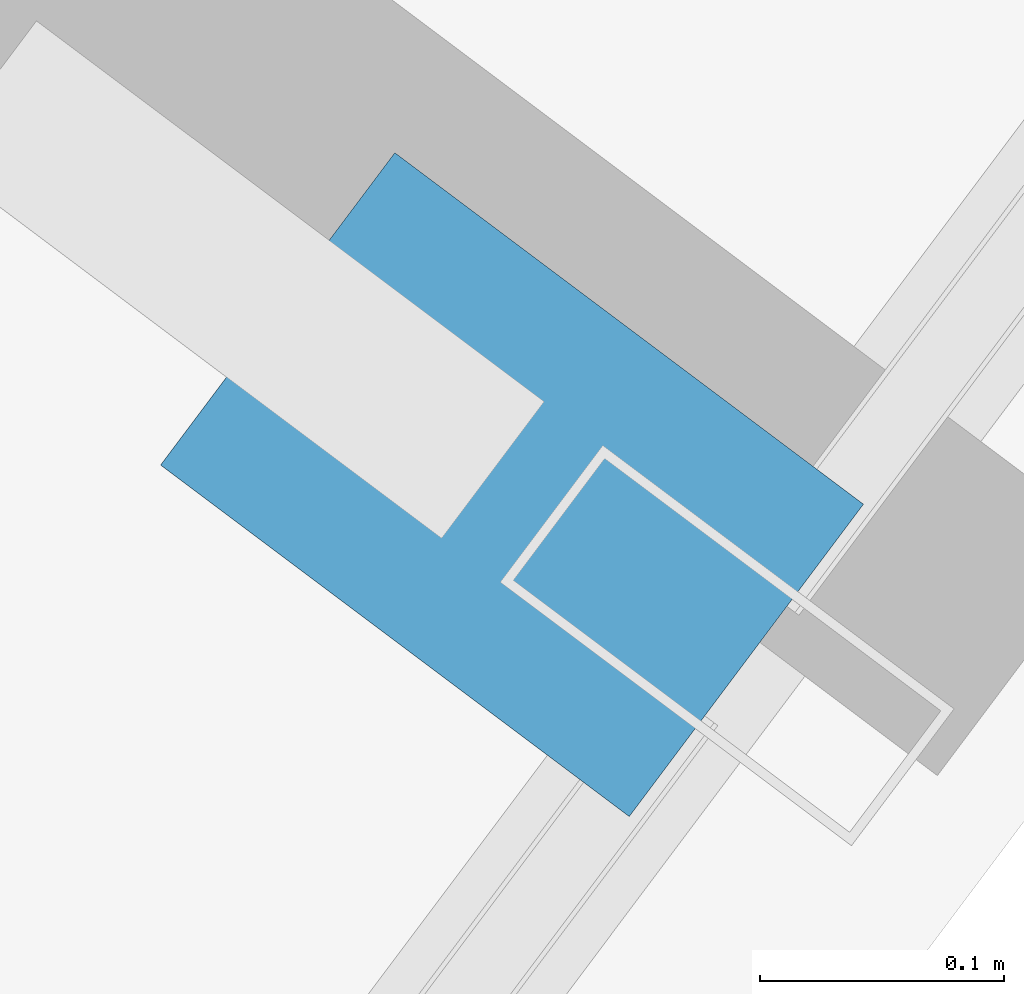
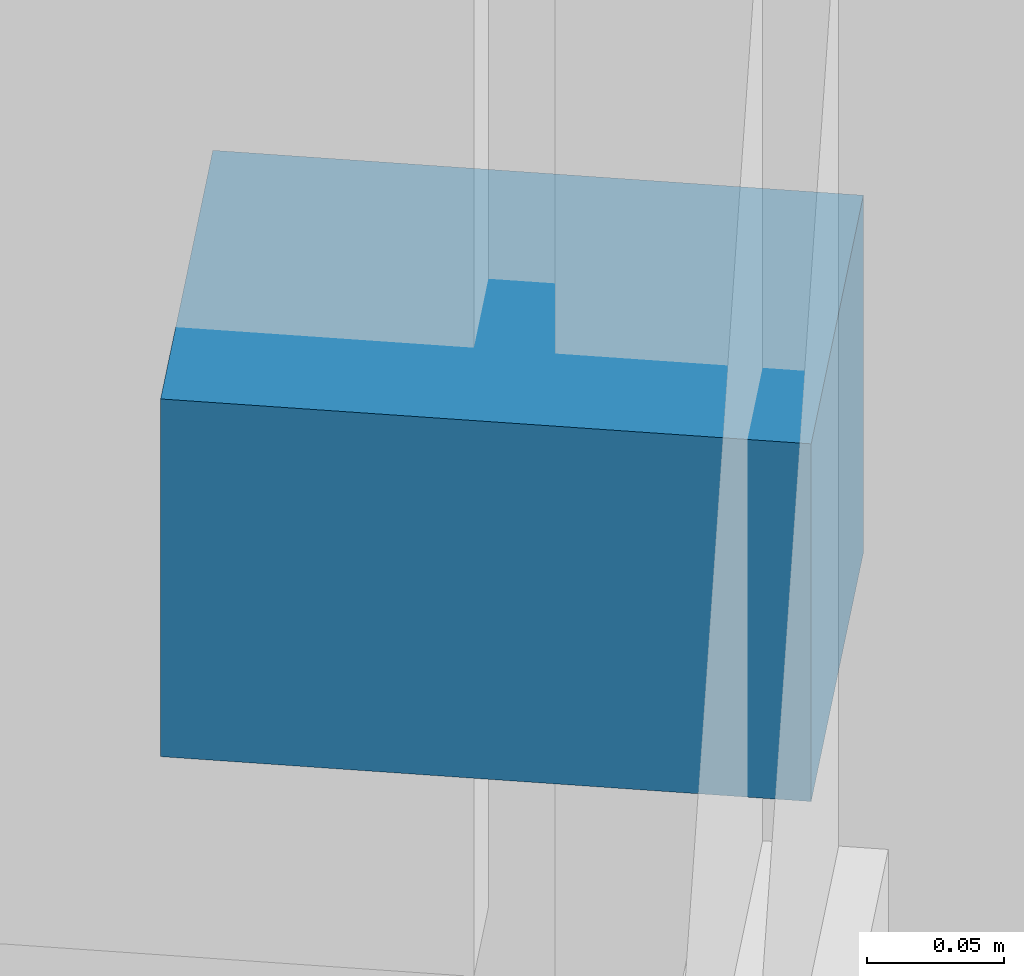
# One storey, part 31 of 38: 1 discrete accessory.
"""IFC4 building model written with IfcOpenShell, lengths in metres."""

from ifc_helpers import new_model, si_unit, direction, frame, origin, origin_2d, place, context, subcontext, project, spatial, rectangle, extrude, material, type_object, element, save


model = new_model("IFC4")

# Units and contexts
model_context = context("Model", 3, precision=1e-05, world=origin(), true_north=direction((0.0, 1.0)))
body_context = subcontext(model_context, "Body", "Model", "MODEL_VIEW")
ifc_project = project(units=[si_unit("LENGTHUNIT", "METRE"), si_unit("AREAUNIT", "SQUARE_METRE"), si_unit("VOLUMEUNIT", "CUBIC_METRE"), si_unit("PLANEANGLEUNIT", "RADIAN"), si_unit("MASSUNIT", "GRAM", prefix="KILO")], contexts=[model_context])

# Site, building, storey
site_placement = place(None, origin())
site = spatial("IfcSite", under=ifc_project, at=site_placement, CompositionType="ELEMENT")
building_placement = place(site_placement, origin())
building = spatial("IfcBuilding", under=site, at=building_placement, Name="Hatsunagi Terrace Concourse", CompositionType="ELEMENT")
storey_placement = place(building_placement, frame((0.0, 0.0, 60.050048828125)))
storey = spatial("IfcBuildingStorey", under=building, at=storey_placement, Name="L15", CompositionType="ELEMENT", Elevation=60.050048828125)

# Discrete accessory
ifc_material = material(Name="Stainless Steel SUS316 Bracket", Category="steel")
discrete_accessory_type = type_object("IfcDiscreteAccessoryType", Name="FacadeScreenSupportBracket_SS", PredefinedType="BRACKET", material=ifc_material)
discrete_accessory_placement = place(storey_placement, frame((64.827880859375, 14.155029296875, 0.97021484375), z_axis=(0.0, 0.0, 1.0), x_axis=(-0.599969314634, -0.800023013105, 0.0)))
element("IfcDiscreteAccessory", 1, at=discrete_accessory_placement, inside=storey, type_object=discrete_accessory_type, Name="Terracotta Screen Bracket BRK-01", PredefinedType="BRACKET", context=body_context, shape_type="SweptSolid", body=[
    extrude(rectangle(XDim=0.159912109375, YDim=0.239990234375, at=origin_2d()), origin(), (0.0, 0.0, 1.0), 0.159912109375),
])

save(model, "model.ifc")
